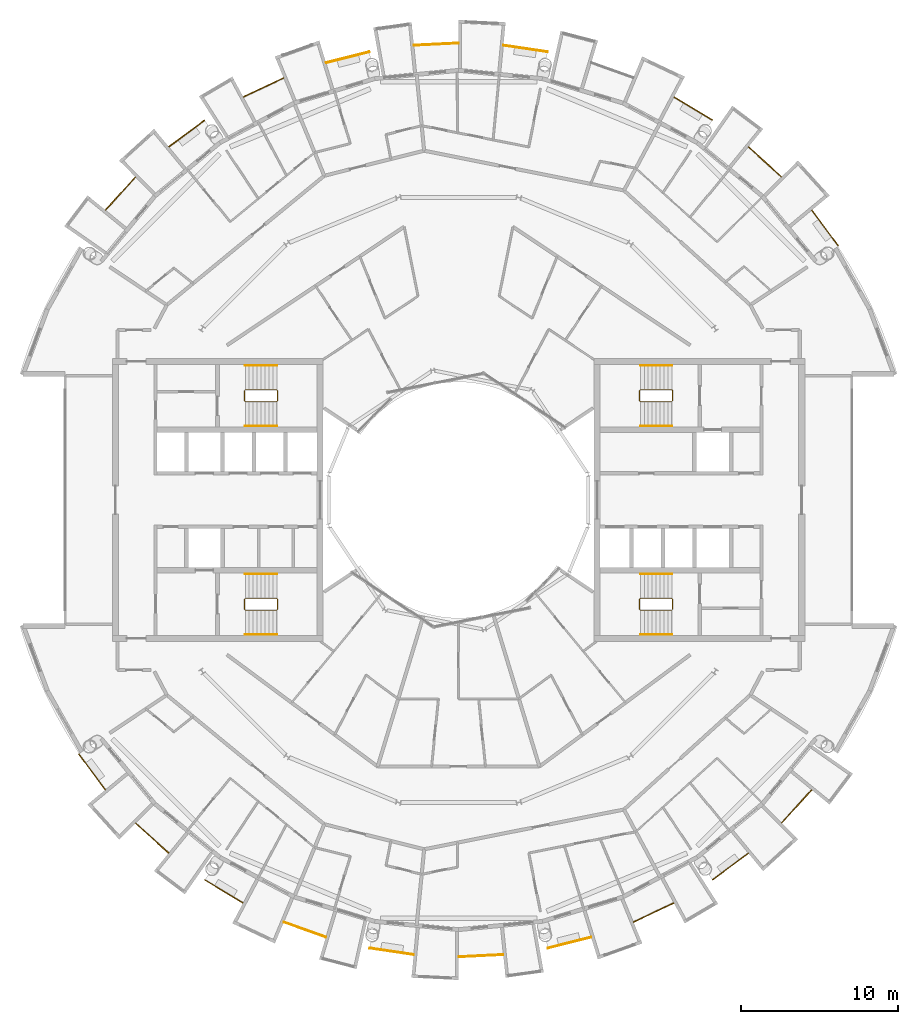
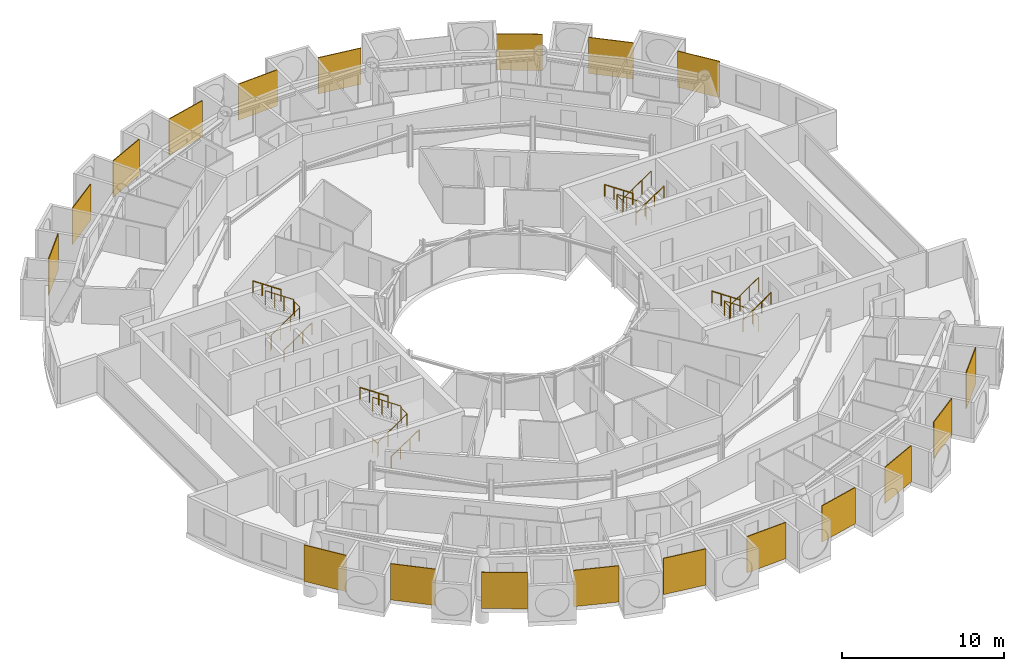
# One storey, part 27 of 28: 31 railings.
"""IFC4 building model written with IfcOpenShell, lengths in metres."""

from ifc_helpers import new_model, si_unit, direction, frame, origin, origin_2d, place, context, subcontext, project, spatial, polyline, circle, outline, extrude, material, layer, layer_set, type_object, element, save


model = new_model("IFC4")

# Units and contexts
model_context = context("Model", 3, precision=1e-05, world=origin(), true_north=direction((0.0, 1.0)))
body_context = subcontext(model_context, "Body", "Model", "MODEL_VIEW")
ifc_project = project(units=[si_unit("LENGTHUNIT", "METRE"), si_unit("AREAUNIT", "SQUARE_METRE"), si_unit("VOLUMEUNIT", "CUBIC_METRE"), si_unit("PLANEANGLEUNIT", "RADIAN"), si_unit("MASSUNIT", "GRAM", prefix="KILO")], contexts=[model_context])

# Site, building, storey
site_placement = place(None, origin())
site = spatial("IfcSite", under=ifc_project, at=site_placement, CompositionType="ELEMENT")
building_placement = place(site_placement, origin())
building = spatial("IfcBuilding", under=site, at=building_placement, Name="Maasbend Ring Residences", CompositionType="ELEMENT")
storey_placement = place(building_placement, frame((0.0, 0.0, 231.0)))
storey = spatial("IfcBuildingStorey", under=building, at=storey_placement, Name="L66", CompositionType="ELEMENT", Elevation=231.0)

# Railings
ifc_material_1 = material(Name="Pale anodised perforated aluminium", Category="aluminium")
ifc_layer = layer(ifc_material_1, 0.06005859375)
ifc_layer_set = layer_set([ifc_layer], Name="SCREEN-P")
railing_type_1 = type_object("IfcRailingType", Name="SCREEN-P", PredefinedType="GUARDRAIL", material=ifc_layer_set)
railing_1_placement = place(storey_placement, frame((0.0, 0.0, -0.030029296875)))
element("IfcRailing", 1, at=railing_1_placement, inside=storey, type_object=railing_type_1, Name="Perforated screen guard 1", PredefinedType="GUARDRAIL", context=body_context, shape_type="SweptSolid", body=[
    extrude(outline(polyline([(24.113037109375, 16.112060546875), (22.4169921875, 18.39697265625), (22.465087890625, 18.43310546875), (24.160888671875, 16.14697265625), (24.113037109375, 16.112060546875)])), origin(), (0.0, 0.0, 1.0), 2.72998046875),
])
railing_2_placement = place(storey_placement, frame((0.0, 0.0, -0.030029296875)))
element("IfcRailing", 2, at=railing_2_placement, inside=storey, type_object=railing_type_1, Name="Perforated screen guard 2", PredefinedType="GUARDRAIL", context=body_context, shape_type="SweptSolid", body=[
    extrude(outline(polyline([(20.506103515625, 20.506103515625), (18.39697265625, 22.4169921875), (18.43798828125, 22.4619140625), (20.5458984375, 20.551025390625), (20.506103515625, 20.506103515625)])), origin(), (0.0, 0.0, 1.0), 2.72998046875),
])
railing_3_placement = place(storey_placement, frame((0.0, 0.0, -0.030029296875)))
element("IfcRailing", 3, at=railing_3_placement, inside=storey, type_object=railing_type_1, Name="Perforated screen guard 3", PredefinedType="GUARDRAIL", context=body_context, shape_type="SweptSolid", body=[
    extrude(outline(polyline([(16.112060546875, 24.113037109375), (13.6708984375, 25.575927734375), (13.700927734375, 25.626953125), (16.14208984375, 24.1640625), (16.112060546875, 24.113037109375)])), origin(), (0.0, 0.0, 1.0), 2.72998046875),
])
railing_4_placement = place(storey_placement, frame((0.0, 0.0, -0.030029296875)))
element("IfcRailing", 4, at=railing_4_placement, inside=storey, type_object=railing_type_1, Name="Perforated screen guard 5", PredefinedType="GUARDRAIL", context=body_context, shape_type="SweptSolid", body=[
    extrude(outline(polyline([(5.657958984375, 28.443115234375), (2.842041015625, 28.860107421875), (2.85107421875, 28.919921875), (5.666015625, 28.501953125), (5.657958984375, 28.443115234375)])), origin(), (0.0, 0.0, 1.0), 2.72998046875),
])
railing_5_placement = place(storey_placement, frame((0.0, 0.0, -0.030029296875)))
element("IfcRailing", 5, at=railing_5_placement, inside=storey, type_object=railing_type_1, Name="Perforated screen guard 6", PredefinedType="GUARDRAIL", context=body_context, shape_type="SweptSolid", body=[
    extrude(outline(polyline([(0.0, 29.0), (-2.842041015625, 28.860107421875), (-2.844970703125, 28.919921875), (-0.0029296875, 29.06005859375), (0.0, 29.0)])), origin(), (0.0, 0.0, 1.0), 2.72998046875),
])
railing_6_placement = place(storey_placement, frame((0.0, 0.0, -0.030029296875)))
element("IfcRailing", 6, at=railing_6_placement, inside=storey, type_object=railing_type_1, Name="Perforated screen guard 7", PredefinedType="GUARDRAIL", context=body_context, shape_type="SweptSolid", body=[
    extrude(outline(polyline([(-5.657958984375, 28.443115234375), (-8.41796875, 27.7509765625), (-8.43310546875, 27.80908203125), (-5.672119140625, 28.5009765625), (-5.657958984375, 28.443115234375)])), origin(), (0.0, 0.0, 1.0), 2.72998046875),
])
railing_7_placement = place(storey_placement, frame((0.0, 0.0, -0.030029296875)))
element("IfcRailing", 7, at=railing_7_placement, inside=storey, type_object=railing_type_1, Name="Perforated screen guard 8", PredefinedType="GUARDRAIL", context=body_context, shape_type="SweptSolid", body=[
    extrude(outline(polyline([(-11.097900390625, 26.79296875), (-13.6708984375, 25.575927734375), (-13.696044921875, 25.6298828125), (-11.123046875, 26.846923828125), (-11.097900390625, 26.79296875)])), origin(), (0.0, 0.0, 1.0), 2.72998046875),
])
railing_8_placement = place(storey_placement, frame((0.0, 0.0, -0.030029296875)))
element("IfcRailing", 8, at=railing_8_placement, inside=storey, type_object=railing_type_1, Name="Perforated screen guard 9", PredefinedType="GUARDRAIL", context=body_context, shape_type="SweptSolid", body=[
    extrude(outline(polyline([(-16.112060546875, 24.113037109375), (-18.39697265625, 22.4169921875), (-18.43310546875, 22.465087890625), (-16.14697265625, 24.160888671875), (-16.112060546875, 24.113037109375)])), origin(), (0.0, 0.0, 1.0), 2.72998046875),
])
railing_9_placement = place(storey_placement, frame((0.0, 0.0, -0.030029296875)))
element("IfcRailing", 9, at=railing_9_placement, inside=storey, type_object=railing_type_1, Name="Perforated screen guard 10", PredefinedType="GUARDRAIL", context=body_context, shape_type="SweptSolid", body=[
    extrude(outline(polyline([(-20.506103515625, 20.506103515625), (-22.4169921875, 18.39697265625), (-22.4619140625, 18.43798828125), (-20.551025390625, 20.5458984375), (-20.506103515625, 20.506103515625)])), origin(), (0.0, 0.0, 1.0), 2.72998046875),
])
railing_10_placement = place(storey_placement, frame((0.0, 0.0, -0.030029296875)))
element("IfcRailing", 10, at=railing_10_placement, inside=storey, type_object=railing_type_1, Name="Perforated screen guard 1", PredefinedType="GUARDRAIL", context=body_context, shape_type="SweptSolid", body=[
    extrude(outline(polyline([(-24.113037109375, -16.112060546875), (-22.4169921875, -18.39697265625), (-22.465087890625, -18.43310546875), (-24.160888671875, -16.14697265625), (-24.113037109375, -16.112060546875)])), origin(), (0.0, 0.0, 1.0), 2.72998046875),
])
railing_11_placement = place(storey_placement, frame((0.0, 0.0, -0.030029296875)))
element("IfcRailing", 11, at=railing_11_placement, inside=storey, type_object=railing_type_1, Name="Perforated screen guard 2", PredefinedType="GUARDRAIL", context=body_context, shape_type="SweptSolid", body=[
    extrude(outline(polyline([(-20.506103515625, -20.506103515625), (-18.39697265625, -22.4169921875), (-18.43798828125, -22.4619140625), (-20.5458984375, -20.551025390625), (-20.506103515625, -20.506103515625)])), origin(), (0.0, 0.0, 1.0), 2.72998046875),
])
railing_12_placement = place(storey_placement, frame((0.0, 0.0, -0.030029296875)))
element("IfcRailing", 12, at=railing_12_placement, inside=storey, type_object=railing_type_1, Name="Perforated screen guard 3", PredefinedType="GUARDRAIL", context=body_context, shape_type="SweptSolid", body=[
    extrude(outline(polyline([(-16.112060546875, -24.113037109375), (-13.6708984375, -25.575927734375), (-13.700927734375, -25.626953125), (-16.14208984375, -24.1640625), (-16.112060546875, -24.113037109375)])), origin(), (0.0, 0.0, 1.0), 2.72998046875),
])
railing_13_placement = place(storey_placement, frame((0.0, 0.0, -0.030029296875)))
element("IfcRailing", 13, at=railing_13_placement, inside=storey, type_object=railing_type_1, Name="Perforated screen guard 4", PredefinedType="GUARDRAIL", context=body_context, shape_type="SweptSolid", body=[
    extrude(outline(polyline([(-11.097900390625, -26.79296875), (-8.41796875, -27.7509765625), (-8.43798828125, -27.80810546875), (-11.117919921875, -26.84912109375), (-11.097900390625, -26.79296875)])), origin(), (0.0, 0.0, 1.0), 2.72998046875),
])
railing_14_placement = place(storey_placement, frame((0.0, 0.0, -0.030029296875)))
element("IfcRailing", 14, at=railing_14_placement, inside=storey, type_object=railing_type_1, Name="Perforated screen guard 5", PredefinedType="GUARDRAIL", context=body_context, shape_type="SweptSolid", body=[
    extrude(outline(polyline([(-5.657958984375, -28.443115234375), (-2.842041015625, -28.860107421875), (-2.85107421875, -28.919921875), (-5.666015625, -28.501953125), (-5.657958984375, -28.443115234375)])), origin(), (0.0, 0.0, 1.0), 2.72998046875),
])
railing_15_placement = place(storey_placement, frame((0.0, 0.0, -0.030029296875)))
element("IfcRailing", 15, at=railing_15_placement, inside=storey, type_object=railing_type_1, Name="Perforated screen guard 6", PredefinedType="GUARDRAIL", context=body_context, shape_type="SweptSolid", body=[
    extrude(outline(polyline([(0.0, -29.0), (2.842041015625, -28.860107421875), (2.844970703125, -28.919921875), (0.0029296875, -29.06005859375), (0.0, -29.0)])), origin(), (0.0, 0.0, 1.0), 2.72998046875),
])
railing_16_placement = place(storey_placement, frame((0.0, 0.0, -0.030029296875)))
element("IfcRailing", 16, at=railing_16_placement, inside=storey, type_object=railing_type_1, Name="Perforated screen guard 7", PredefinedType="GUARDRAIL", context=body_context, shape_type="SweptSolid", body=[
    extrude(outline(polyline([(5.657958984375, -28.443115234375), (8.41796875, -27.7509765625), (8.43310546875, -27.80908203125), (5.672119140625, -28.5009765625), (5.657958984375, -28.443115234375)])), origin(), (0.0, 0.0, 1.0), 2.72998046875),
])
railing_17_placement = place(storey_placement, frame((0.0, 0.0, -0.030029296875)))
element("IfcRailing", 17, at=railing_17_placement, inside=storey, type_object=railing_type_1, Name="Perforated screen guard 8", PredefinedType="GUARDRAIL", context=body_context, shape_type="SweptSolid", body=[
    extrude(outline(polyline([(11.097900390625, -26.79296875), (13.6708984375, -25.575927734375), (13.696044921875, -25.6298828125), (11.123046875, -26.846923828125), (11.097900390625, -26.79296875)])), origin(), (0.0, 0.0, 1.0), 2.72998046875),
])
railing_18_placement = place(storey_placement, frame((0.0, 0.0, -0.030029296875)))
element("IfcRailing", 18, at=railing_18_placement, inside=storey, type_object=railing_type_1, Name="Perforated screen guard 9", PredefinedType="GUARDRAIL", context=body_context, shape_type="SweptSolid", body=[
    extrude(outline(polyline([(16.112060546875, -24.113037109375), (18.39697265625, -22.4169921875), (18.43310546875, -22.465087890625), (16.14697265625, -24.160888671875), (16.112060546875, -24.113037109375)])), origin(), (0.0, 0.0, 1.0), 2.72998046875),
])
railing_19_placement = place(storey_placement, frame((0.0, 0.0, -0.030029296875)))
element("IfcRailing", 19, at=railing_19_placement, inside=storey, type_object=railing_type_1, Name="Perforated screen guard 10", PredefinedType="GUARDRAIL", context=body_context, shape_type="SweptSolid", body=[
    extrude(outline(polyline([(20.506103515625, -20.506103515625), (22.4169921875, -18.39697265625), (22.4619140625, -18.43798828125), (20.551025390625, -20.5458984375), (20.506103515625, -20.506103515625)])), origin(), (0.0, 0.0, 1.0), 2.72998046875),
])
ifc_material_2 = material(Name="Stainless steel 316", Category="steel")
railing_type_2 = type_object("IfcRailingType", Name="STAIR GUARD 1100", PredefinedType="GUARDRAIL", material=ifc_material_2)
railing_20_placement = place(storey_placement, frame((13.60009765625, 6.300048828125, 0.0)))
element("IfcRailing", 20, at=railing_20_placement, inside=storey, type_object=railing_type_2, Name="L66 ST-E1 stair guard 1", PredefinedType="GUARDRAIL", context=body_context, shape_type="SweptSolid", body=[
    extrude(circle(Radius=0.02392578125, at=origin_2d()), frame((0.0, 0.0, 1.076171875), z_axis=(0.0, 1.0, 0.0), x_axis=(-1.0, 0.0, 0.0)), (0.0, 0.0, 1.0), 0.64990234375),
    extrude(circle(Radius=0.02392578125, at=origin_2d()), frame((0.0, 0.64990234375, 1.076171875), z_axis=(-0.272562526181, 0.272562526181, 0.92272386912), x_axis=(-0.707106781187, -0.707106781187, 0.0)), (0.0, 0.0, 1.0), 0.18359375),
    extrude(circle(Radius=0.02392578125, at=origin_2d()), frame((-0.050048828125, 0.699951171875, 1.24560546875), z_axis=(-0.827797584762, 0.0, 0.561026878735), x_axis=(0.0, -1.0, 0.0)), (0.0, 0.0, 1.0), 2.416015625),
    extrude(circle(Radius=0.02392578125, at=origin_2d()), frame((-2.050048828125, 0.699951171875, 2.60107421875), z_axis=(-0.707106781187, -0.707106781187, 0.0), x_axis=(0.707106781187, -0.707106781187, 0.0)), (0.0, 0.0, 1.0), 0.07080078125),
    extrude(circle(Radius=0.02392578125, at=origin_2d()), frame((-2.10009765625, 0.64990234375, 2.60107421875), z_axis=(0.0, -1.0, 0.0), x_axis=(1.0, 0.0, 0.0)), (0.0, 0.0, 1.0), 0.64990234375),
    extrude(circle(Radius=0.02392578125, at=origin_2d()), frame((-2.10009765625, 0.0, 2.60107421875), z_axis=(0.272562526181, -0.272562526181, 0.92272386912), x_axis=(0.707106781187, 0.707106781187, 0.0)), (0.0, 0.0, 1.0), 0.18359375),
    extrude(circle(Radius=0.02392578125, at=origin_2d()), frame((-2.050048828125, -0.050048828125, 2.7705078125), z_axis=(0.827750655447, 0.0, 0.561096116906), x_axis=(0.0, 1.0, 0.0)), (0.0, 0.0, 1.0), 2.416259765625),
    extrude(circle(Radius=0.02099609375, at=origin_2d()), origin(), (0.0, 0.0, 1.0), 1.052001953125),
    extrude(circle(Radius=0.02099609375, at=origin_2d()), frame((0.0, 0.64990234375, 0.0)), (0.0, 0.0, 1.0), 1.052001953125),
    extrude(circle(Radius=0.02099609375, at=origin_2d()), frame((-0.050048828125, 0.699951171875, 0.16943359375)), (0.0, 0.0, 1.0), 1.052001953125),
    extrude(circle(Radius=0.02099609375, at=origin_2d()), frame((-0.716796875, 0.699951171875, 0.621337890625)), (0.0, 0.0, 1.0), 1.052001953125),
    extrude(circle(Radius=0.02099609375, at=origin_2d()), frame((-1.38330078125, 0.699951171875, 1.072998046875)), (0.0, 0.0, 1.0), 1.052001953125),
    extrude(circle(Radius=0.02099609375, at=origin_2d()), frame((-2.050048828125, 0.699951171875, 1.52490234375)), (0.0, 0.0, 1.0), 1.052001953125),
    extrude(circle(Radius=0.02099609375, at=origin_2d()), frame((-2.10009765625, 0.64990234375, 1.52490234375)), (0.0, 0.0, 1.0), 1.052001953125),
    extrude(circle(Radius=0.02099609375, at=origin_2d()), frame((-2.10009765625, 0.0, 1.52490234375)), (0.0, 0.0, 1.0), 1.052001953125),
    extrude(circle(Radius=0.02099609375, at=origin_2d()), frame((-2.050048828125, -0.050048828125, 1.6943359375)), (0.0, 0.0, 1.0), 1.052001953125),
    extrude(circle(Radius=0.02099609375, at=origin_2d()), frame((-1.38330078125, -0.050048828125, 2.146240234375)), (0.0, 0.0, 1.0), 1.052001953125),
    extrude(circle(Radius=0.02099609375, at=origin_2d()), frame((-0.716796875, -0.050048828125, 2.59814453125)), (0.0, 0.0, 1.0), 1.052001953125),
    extrude(circle(Radius=0.02099609375, at=origin_2d()), frame((-0.050048828125, -0.050048828125, 3.050048828125)), (0.0, 0.0, 1.0), 1.052001953125),
])
railing_21_placement = place(storey_placement, frame((13.60009765625, -6.949951171875, 0.0)))
element("IfcRailing", 21, at=railing_21_placement, inside=storey, type_object=railing_type_2, Name="L66 ST-E2 stair guard 1", PredefinedType="GUARDRAIL", context=body_context, shape_type="SweptSolid", body=[
    extrude(circle(Radius=0.02392578125, at=origin_2d()), frame((0.0, 0.0, 1.076171875), z_axis=(0.0, 1.0, 0.0), x_axis=(-1.0, 0.0, 0.0)), (0.0, 0.0, 1.0), 0.64990234375),
    extrude(circle(Radius=0.02392578125, at=origin_2d()), frame((0.0, 0.64990234375, 1.076171875), z_axis=(-0.272562526181, 0.272562526181, 0.92272386912), x_axis=(-0.707106781187, -0.707106781187, 0.0)), (0.0, 0.0, 1.0), 0.18359375),
    extrude(circle(Radius=0.02392578125, at=origin_2d()), frame((-0.050048828125, 0.699951171875, 1.24560546875), z_axis=(-0.827797584762, 0.0, 0.561026878735), x_axis=(0.0, -1.0, 0.0)), (0.0, 0.0, 1.0), 2.416015625),
    extrude(circle(Radius=0.02392578125, at=origin_2d()), frame((-2.050048828125, 0.699951171875, 2.60107421875), z_axis=(-0.707106781187, -0.707106781187, 0.0), x_axis=(0.707106781187, -0.707106781187, 0.0)), (0.0, 0.0, 1.0), 0.07080078125),
    extrude(circle(Radius=0.02392578125, at=origin_2d()), frame((-2.10009765625, 0.64990234375, 2.60107421875), z_axis=(0.0, -1.0, 0.0), x_axis=(1.0, 0.0, 0.0)), (0.0, 0.0, 1.0), 0.64990234375),
    extrude(circle(Radius=0.02392578125, at=origin_2d()), frame((-2.10009765625, 0.0, 2.60107421875), z_axis=(0.272562526181, -0.272562526181, 0.92272386912), x_axis=(0.707106781187, 0.707106781187, 0.0)), (0.0, 0.0, 1.0), 0.18359375),
    extrude(circle(Radius=0.02392578125, at=origin_2d()), frame((-2.050048828125, -0.050048828125, 2.7705078125), z_axis=(0.827750655447, 0.0, 0.561096116906), x_axis=(0.0, 1.0, 0.0)), (0.0, 0.0, 1.0), 2.416259765625),
    extrude(circle(Radius=0.02099609375, at=origin_2d()), origin(), (0.0, 0.0, 1.0), 1.052001953125),
    extrude(circle(Radius=0.02099609375, at=origin_2d()), frame((0.0, 0.64990234375, 0.0)), (0.0, 0.0, 1.0), 1.052001953125),
    extrude(circle(Radius=0.02099609375, at=origin_2d()), frame((-0.050048828125, 0.699951171875, 0.16943359375)), (0.0, 0.0, 1.0), 1.052001953125),
    extrude(circle(Radius=0.02099609375, at=origin_2d()), frame((-0.716796875, 0.699951171875, 0.621337890625)), (0.0, 0.0, 1.0), 1.052001953125),
    extrude(circle(Radius=0.02099609375, at=origin_2d()), frame((-1.38330078125, 0.699951171875, 1.072998046875)), (0.0, 0.0, 1.0), 1.052001953125),
    extrude(circle(Radius=0.02099609375, at=origin_2d()), frame((-2.050048828125, 0.699951171875, 1.52490234375)), (0.0, 0.0, 1.0), 1.052001953125),
    extrude(circle(Radius=0.02099609375, at=origin_2d()), frame((-2.10009765625, 0.64990234375, 1.52490234375)), (0.0, 0.0, 1.0), 1.052001953125),
    extrude(circle(Radius=0.02099609375, at=origin_2d()), frame((-2.10009765625, 0.0, 1.52490234375)), (0.0, 0.0, 1.0), 1.052001953125),
    extrude(circle(Radius=0.02099609375, at=origin_2d()), frame((-2.050048828125, -0.050048828125, 1.6943359375)), (0.0, 0.0, 1.0), 1.052001953125),
    extrude(circle(Radius=0.02099609375, at=origin_2d()), frame((-1.38330078125, -0.050048828125, 2.146240234375)), (0.0, 0.0, 1.0), 1.052001953125),
    extrude(circle(Radius=0.02099609375, at=origin_2d()), frame((-0.716796875, -0.050048828125, 2.59814453125)), (0.0, 0.0, 1.0), 1.052001953125),
    extrude(circle(Radius=0.02099609375, at=origin_2d()), frame((-0.050048828125, -0.050048828125, 3.050048828125)), (0.0, 0.0, 1.0), 1.052001953125),
])
railing_22_placement = place(storey_placement, frame((-13.60009765625, -6.300048828125, 0.0)))
element("IfcRailing", 22, at=railing_22_placement, inside=storey, type_object=railing_type_2, Name="L66 ST-W1 stair guard 1", PredefinedType="GUARDRAIL", context=body_context, shape_type="SweptSolid", body=[
    extrude(circle(Radius=0.02392578125, at=origin_2d()), frame((0.0, 0.0, 1.076171875), z_axis=(0.0, -1.0, 0.0), x_axis=(1.0, 0.0, 0.0)), (0.0, 0.0, 1.0), 0.64990234375),
    extrude(circle(Radius=0.02392578125, at=origin_2d()), frame((0.0, -0.64990234375, 1.076171875), z_axis=(0.272562526181, -0.272562526181, 0.92272386912), x_axis=(0.707106781187, 0.707106781187, 0.0)), (0.0, 0.0, 1.0), 0.18359375),
    extrude(circle(Radius=0.02392578125, at=origin_2d()), frame((0.050048828125, -0.699951171875, 1.24560546875), z_axis=(0.827797584762, 0.0, 0.561026878735), x_axis=(0.0, 1.0, 0.0)), (0.0, 0.0, 1.0), 2.416015625),
    extrude(circle(Radius=0.02392578125, at=origin_2d()), frame((2.050048828125, -0.699951171875, 2.60107421875), z_axis=(0.707106781187, 0.707106781187, 0.0), x_axis=(-0.707106781187, 0.707106781187, 0.0)), (0.0, 0.0, 1.0), 0.07080078125),
    extrude(circle(Radius=0.02392578125, at=origin_2d()), frame((2.10009765625, -0.64990234375, 2.60107421875), z_axis=(0.0, 1.0, 0.0), x_axis=(-1.0, 0.0, 0.0)), (0.0, 0.0, 1.0), 0.64990234375),
    extrude(circle(Radius=0.02392578125, at=origin_2d()), frame((2.10009765625, 0.0, 2.60107421875), z_axis=(-0.272562526181, 0.272562526181, 0.92272386912), x_axis=(-0.707106781187, -0.707106781187, 0.0)), (0.0, 0.0, 1.0), 0.18359375),
    extrude(circle(Radius=0.02392578125, at=origin_2d()), frame((2.050048828125, 0.050048828125, 2.7705078125), z_axis=(-0.827750655447, 0.0, 0.561096116906), x_axis=(0.0, -1.0, 0.0)), (0.0, 0.0, 1.0), 2.416259765625),
    extrude(circle(Radius=0.02099609375, at=origin_2d()), origin(), (0.0, 0.0, 1.0), 1.052001953125),
    extrude(circle(Radius=0.02099609375, at=origin_2d()), frame((0.0, -0.64990234375, 0.0)), (0.0, 0.0, 1.0), 1.052001953125),
    extrude(circle(Radius=0.02099609375, at=origin_2d()), frame((0.050048828125, -0.699951171875, 0.16943359375)), (0.0, 0.0, 1.0), 1.052001953125),
    extrude(circle(Radius=0.02099609375, at=origin_2d()), frame((0.716796875, -0.699951171875, 0.621337890625)), (0.0, 0.0, 1.0), 1.052001953125),
    extrude(circle(Radius=0.02099609375, at=origin_2d()), frame((1.38330078125, -0.699951171875, 1.072998046875)), (0.0, 0.0, 1.0), 1.052001953125),
    extrude(circle(Radius=0.02099609375, at=origin_2d()), frame((2.050048828125, -0.699951171875, 1.52490234375)), (0.0, 0.0, 1.0), 1.052001953125),
    extrude(circle(Radius=0.02099609375, at=origin_2d()), frame((2.10009765625, -0.64990234375, 1.52490234375)), (0.0, 0.0, 1.0), 1.052001953125),
    extrude(circle(Radius=0.02099609375, at=origin_2d()), frame((2.10009765625, 0.0, 1.52490234375)), (0.0, 0.0, 1.0), 1.052001953125),
    extrude(circle(Radius=0.02099609375, at=origin_2d()), frame((2.050048828125, 0.050048828125, 1.6943359375)), (0.0, 0.0, 1.0), 1.052001953125),
    extrude(circle(Radius=0.02099609375, at=origin_2d()), frame((1.38330078125, 0.050048828125, 2.146240234375)), (0.0, 0.0, 1.0), 1.052001953125),
    extrude(circle(Radius=0.02099609375, at=origin_2d()), frame((0.716796875, 0.050048828125, 2.59814453125)), (0.0, 0.0, 1.0), 1.052001953125),
    extrude(circle(Radius=0.02099609375, at=origin_2d()), frame((0.050048828125, 0.050048828125, 3.050048828125)), (0.0, 0.0, 1.0), 1.052001953125),
])
railing_23_placement = place(storey_placement, frame((-13.60009765625, 6.949951171875, 0.0)))
element("IfcRailing", 23, at=railing_23_placement, inside=storey, type_object=railing_type_2, Name="L66 ST-W2 stair guard 1", PredefinedType="GUARDRAIL", context=body_context, shape_type="SweptSolid", body=[
    extrude(circle(Radius=0.02392578125, at=origin_2d()), frame((0.0, 0.0, 1.076171875), z_axis=(0.0, -1.0, 0.0), x_axis=(1.0, 0.0, 0.0)), (0.0, 0.0, 1.0), 0.64990234375),
    extrude(circle(Radius=0.02392578125, at=origin_2d()), frame((0.0, -0.64990234375, 1.076171875), z_axis=(0.272562526181, -0.272562526181, 0.92272386912), x_axis=(0.707106781187, 0.707106781187, 0.0)), (0.0, 0.0, 1.0), 0.18359375),
    extrude(circle(Radius=0.02392578125, at=origin_2d()), frame((0.050048828125, -0.699951171875, 1.24560546875), z_axis=(0.827797584762, 0.0, 0.561026878735), x_axis=(0.0, 1.0, 0.0)), (0.0, 0.0, 1.0), 2.416015625),
    extrude(circle(Radius=0.02392578125, at=origin_2d()), frame((2.050048828125, -0.699951171875, 2.60107421875), z_axis=(0.707106781187, 0.707106781187, 0.0), x_axis=(-0.707106781187, 0.707106781187, 0.0)), (0.0, 0.0, 1.0), 0.07080078125),
    extrude(circle(Radius=0.02392578125, at=origin_2d()), frame((2.10009765625, -0.64990234375, 2.60107421875), z_axis=(0.0, 1.0, 0.0), x_axis=(-1.0, 0.0, 0.0)), (0.0, 0.0, 1.0), 0.64990234375),
    extrude(circle(Radius=0.02392578125, at=origin_2d()), frame((2.10009765625, 0.0, 2.60107421875), z_axis=(-0.272562526181, 0.272562526181, 0.92272386912), x_axis=(-0.707106781187, -0.707106781187, 0.0)), (0.0, 0.0, 1.0), 0.18359375),
    extrude(circle(Radius=0.02392578125, at=origin_2d()), frame((2.050048828125, 0.050048828125, 2.7705078125), z_axis=(-0.827750655447, 0.0, 0.561096116906), x_axis=(0.0, -1.0, 0.0)), (0.0, 0.0, 1.0), 2.416259765625),
    extrude(circle(Radius=0.02099609375, at=origin_2d()), origin(), (0.0, 0.0, 1.0), 1.052001953125),
    extrude(circle(Radius=0.02099609375, at=origin_2d()), frame((0.0, -0.64990234375, 0.0)), (0.0, 0.0, 1.0), 1.052001953125),
    extrude(circle(Radius=0.02099609375, at=origin_2d()), frame((0.050048828125, -0.699951171875, 0.16943359375)), (0.0, 0.0, 1.0), 1.052001953125),
    extrude(circle(Radius=0.02099609375, at=origin_2d()), frame((0.716796875, -0.699951171875, 0.621337890625)), (0.0, 0.0, 1.0), 1.052001953125),
    extrude(circle(Radius=0.02099609375, at=origin_2d()), frame((1.38330078125, -0.699951171875, 1.072998046875)), (0.0, 0.0, 1.0), 1.052001953125),
    extrude(circle(Radius=0.02099609375, at=origin_2d()), frame((2.050048828125, -0.699951171875, 1.52490234375)), (0.0, 0.0, 1.0), 1.052001953125),
    extrude(circle(Radius=0.02099609375, at=origin_2d()), frame((2.10009765625, -0.64990234375, 1.52490234375)), (0.0, 0.0, 1.0), 1.052001953125),
    extrude(circle(Radius=0.02099609375, at=origin_2d()), frame((2.10009765625, 0.0, 1.52490234375)), (0.0, 0.0, 1.0), 1.052001953125),
    extrude(circle(Radius=0.02099609375, at=origin_2d()), frame((2.050048828125, 0.050048828125, 1.6943359375)), (0.0, 0.0, 1.0), 1.052001953125),
    extrude(circle(Radius=0.02099609375, at=origin_2d()), frame((1.38330078125, 0.050048828125, 2.146240234375)), (0.0, 0.0, 1.0), 1.052001953125),
    extrude(circle(Radius=0.02099609375, at=origin_2d()), frame((0.716796875, 0.050048828125, 2.59814453125)), (0.0, 0.0, 1.0), 1.052001953125),
    extrude(circle(Radius=0.02099609375, at=origin_2d()), frame((0.050048828125, 0.050048828125, 3.050048828125)), (0.0, 0.0, 1.0), 1.052001953125),
])
ifc_material_3 = material(Name="Stainless steel 316", Category="steel")
railing_type_3 = type_object("IfcRailingType", Name="STAIR HANDRAIL 900", PredefinedType="HANDRAIL", material=ifc_material_3)
railing_24_placement = place(storey_placement, frame((13.550048828125, 8.550048828125, 0.16943359375)))
element("IfcRailing", 24, at=railing_24_placement, inside=storey, type_object=railing_type_3, Name="L66 ST-E1 stair handrail 1", PredefinedType="HANDRAIL", context=body_context, shape_type="SweptSolid", body=[
    extrude(circle(Radius=0.02392578125, at=origin_2d()), frame((0.0, 0.0, 0.8759765625), z_axis=(-0.827797584762, 0.0, 0.561026878735), x_axis=(0.0, -1.0, 0.0)), (0.0, 0.0, 1.0), 2.416015625),
    extrude(circle(Radius=0.02099609375, at=origin_2d()), origin(), (0.0, 0.0, 1.0), 0.851806640625),
    extrude(circle(Radius=0.02099609375, at=origin_2d()), frame((-0.666748046875, 0.0, 0.451904296875)), (0.0, 0.0, 1.0), 0.851806640625),
    extrude(circle(Radius=0.02099609375, at=origin_2d()), frame((-1.333251953125, 0.0, 0.903564453125)), (0.0, 0.0, 1.0), 0.851806640625),
    extrude(circle(Radius=0.02099609375, at=origin_2d()), frame((-2.0, 0.0, 1.35546875)), (0.0, 0.0, 1.0), 0.851806640625),
])
railing_25_placement = place(storey_placement, frame((11.550048828125, 4.699951171875, 1.6943359375)))
element("IfcRailing", 25, at=railing_25_placement, inside=storey, type_object=railing_type_3, Name="L66 ST-E1 stair handrail 2", PredefinedType="HANDRAIL", context=body_context, shape_type="SweptSolid", body=[
    extrude(circle(Radius=0.02392578125, at=origin_2d()), frame((0.0, 0.0, 0.8759765625), z_axis=(0.827750655447, 0.0, 0.561096116906), x_axis=(0.0, 1.0, 0.0)), (0.0, 0.0, 1.0), 2.416259765625),
    extrude(circle(Radius=0.02099609375, at=origin_2d()), origin(), (0.0, 0.0, 1.0), 0.851806640625),
    extrude(circle(Radius=0.02099609375, at=origin_2d()), frame((0.666748046875, 0.0, 0.451904296875)), (0.0, 0.0, 1.0), 0.851806640625),
    extrude(circle(Radius=0.02099609375, at=origin_2d()), frame((1.333251953125, 0.0, 0.90380859375)), (0.0, 0.0, 1.0), 0.851806640625),
    extrude(circle(Radius=0.02099609375, at=origin_2d()), frame((2.0, 0.0, 1.355712890625)), (0.0, 0.0, 1.0), 0.851806640625),
])
railing_26_placement = place(storey_placement, frame((13.550048828125, -4.699951171875, 0.16943359375)))
element("IfcRailing", 26, at=railing_26_placement, inside=storey, type_object=railing_type_3, Name="L66 ST-E2 stair handrail 1", PredefinedType="HANDRAIL", context=body_context, shape_type="SweptSolid", body=[
    extrude(circle(Radius=0.02392578125, at=origin_2d()), frame((0.0, 0.0, 0.8759765625), z_axis=(-0.827797584762, 0.0, 0.561026878735), x_axis=(0.0, -1.0, 0.0)), (0.0, 0.0, 1.0), 2.416015625),
    extrude(circle(Radius=0.02099609375, at=origin_2d()), origin(), (0.0, 0.0, 1.0), 0.851806640625),
    extrude(circle(Radius=0.02099609375, at=origin_2d()), frame((-0.666748046875, 0.0, 0.451904296875)), (0.0, 0.0, 1.0), 0.851806640625),
    extrude(circle(Radius=0.02099609375, at=origin_2d()), frame((-1.333251953125, 0.0, 0.903564453125)), (0.0, 0.0, 1.0), 0.851806640625),
    extrude(circle(Radius=0.02099609375, at=origin_2d()), frame((-2.0, 0.0, 1.35546875)), (0.0, 0.0, 1.0), 0.851806640625),
])
railing_27_placement = place(storey_placement, frame((11.550048828125, -8.550048828125, 1.6943359375)))
element("IfcRailing", 27, at=railing_27_placement, inside=storey, type_object=railing_type_3, Name="L66 ST-E2 stair handrail 2", PredefinedType="HANDRAIL", context=body_context, shape_type="SweptSolid", body=[
    extrude(circle(Radius=0.02392578125, at=origin_2d()), frame((0.0, 0.0, 0.8759765625), z_axis=(0.827750655447, 0.0, 0.561096116906), x_axis=(0.0, 1.0, 0.0)), (0.0, 0.0, 1.0), 2.416259765625),
    extrude(circle(Radius=0.02099609375, at=origin_2d()), origin(), (0.0, 0.0, 1.0), 0.851806640625),
    extrude(circle(Radius=0.02099609375, at=origin_2d()), frame((0.666748046875, 0.0, 0.451904296875)), (0.0, 0.0, 1.0), 0.851806640625),
    extrude(circle(Radius=0.02099609375, at=origin_2d()), frame((1.333251953125, 0.0, 0.90380859375)), (0.0, 0.0, 1.0), 0.851806640625),
    extrude(circle(Radius=0.02099609375, at=origin_2d()), frame((2.0, 0.0, 1.355712890625)), (0.0, 0.0, 1.0), 0.851806640625),
])
railing_28_placement = place(storey_placement, frame((-13.550048828125, -8.550048828125, 0.16943359375)))
element("IfcRailing", 28, at=railing_28_placement, inside=storey, type_object=railing_type_3, Name="L66 ST-W1 stair handrail 1", PredefinedType="HANDRAIL", context=body_context, shape_type="SweptSolid", body=[
    extrude(circle(Radius=0.02392578125, at=origin_2d()), frame((0.0, 0.0, 0.8759765625), z_axis=(0.827797584762, 0.0, 0.561026878735), x_axis=(0.0, 1.0, 0.0)), (0.0, 0.0, 1.0), 2.416015625),
    extrude(circle(Radius=0.02099609375, at=origin_2d()), origin(), (0.0, 0.0, 1.0), 0.851806640625),
    extrude(circle(Radius=0.02099609375, at=origin_2d()), frame((0.666748046875, 0.0, 0.451904296875)), (0.0, 0.0, 1.0), 0.851806640625),
    extrude(circle(Radius=0.02099609375, at=origin_2d()), frame((1.333251953125, 0.0, 0.903564453125)), (0.0, 0.0, 1.0), 0.851806640625),
    extrude(circle(Radius=0.02099609375, at=origin_2d()), frame((2.0, 0.0, 1.35546875)), (0.0, 0.0, 1.0), 0.851806640625),
])
railing_29_placement = place(storey_placement, frame((-11.550048828125, -4.699951171875, 1.6943359375)))
element("IfcRailing", 29, at=railing_29_placement, inside=storey, type_object=railing_type_3, Name="L66 ST-W1 stair handrail 2", PredefinedType="HANDRAIL", context=body_context, shape_type="SweptSolid", body=[
    extrude(circle(Radius=0.02392578125, at=origin_2d()), frame((0.0, 0.0, 0.8759765625), z_axis=(-0.827750655447, 0.0, 0.561096116906), x_axis=(0.0, -1.0, 0.0)), (0.0, 0.0, 1.0), 2.416259765625),
    extrude(circle(Radius=0.02099609375, at=origin_2d()), origin(), (0.0, 0.0, 1.0), 0.851806640625),
    extrude(circle(Radius=0.02099609375, at=origin_2d()), frame((-0.666748046875, 0.0, 0.451904296875)), (0.0, 0.0, 1.0), 0.851806640625),
    extrude(circle(Radius=0.02099609375, at=origin_2d()), frame((-1.333251953125, 0.0, 0.90380859375)), (0.0, 0.0, 1.0), 0.851806640625),
    extrude(circle(Radius=0.02099609375, at=origin_2d()), frame((-2.0, 0.0, 1.355712890625)), (0.0, 0.0, 1.0), 0.851806640625),
])
railing_30_placement = place(storey_placement, frame((-13.550048828125, 4.699951171875, 0.16943359375)))
element("IfcRailing", 30, at=railing_30_placement, inside=storey, type_object=railing_type_3, Name="L66 ST-W2 stair handrail 1", PredefinedType="HANDRAIL", context=body_context, shape_type="SweptSolid", body=[
    extrude(circle(Radius=0.02392578125, at=origin_2d()), frame((0.0, 0.0, 0.8759765625), z_axis=(0.827797584762, 0.0, 0.561026878735), x_axis=(0.0, 1.0, 0.0)), (0.0, 0.0, 1.0), 2.416015625),
    extrude(circle(Radius=0.02099609375, at=origin_2d()), origin(), (0.0, 0.0, 1.0), 0.851806640625),
    extrude(circle(Radius=0.02099609375, at=origin_2d()), frame((0.666748046875, 0.0, 0.451904296875)), (0.0, 0.0, 1.0), 0.851806640625),
    extrude(circle(Radius=0.02099609375, at=origin_2d()), frame((1.333251953125, 0.0, 0.903564453125)), (0.0, 0.0, 1.0), 0.851806640625),
    extrude(circle(Radius=0.02099609375, at=origin_2d()), frame((2.0, 0.0, 1.35546875)), (0.0, 0.0, 1.0), 0.851806640625),
])
railing_31_placement = place(storey_placement, frame((-11.550048828125, 8.550048828125, 1.6943359375)))
element("IfcRailing", 31, at=railing_31_placement, inside=storey, type_object=railing_type_3, Name="L66 ST-W2 stair handrail 2", PredefinedType="HANDRAIL", context=body_context, shape_type="SweptSolid", body=[
    extrude(circle(Radius=0.02392578125, at=origin_2d()), frame((0.0, 0.0, 0.8759765625), z_axis=(-0.827750655447, 0.0, 0.561096116906), x_axis=(0.0, -1.0, 0.0)), (0.0, 0.0, 1.0), 2.416259765625),
    extrude(circle(Radius=0.02099609375, at=origin_2d()), origin(), (0.0, 0.0, 1.0), 0.851806640625),
    extrude(circle(Radius=0.02099609375, at=origin_2d()), frame((-0.666748046875, 0.0, 0.451904296875)), (0.0, 0.0, 1.0), 0.851806640625),
    extrude(circle(Radius=0.02099609375, at=origin_2d()), frame((-1.333251953125, 0.0, 0.90380859375)), (0.0, 0.0, 1.0), 0.851806640625),
    extrude(circle(Radius=0.02099609375, at=origin_2d()), frame((-2.0, 0.0, 1.355712890625)), (0.0, 0.0, 1.0), 0.851806640625),
])

save(model, "model.ifc")
